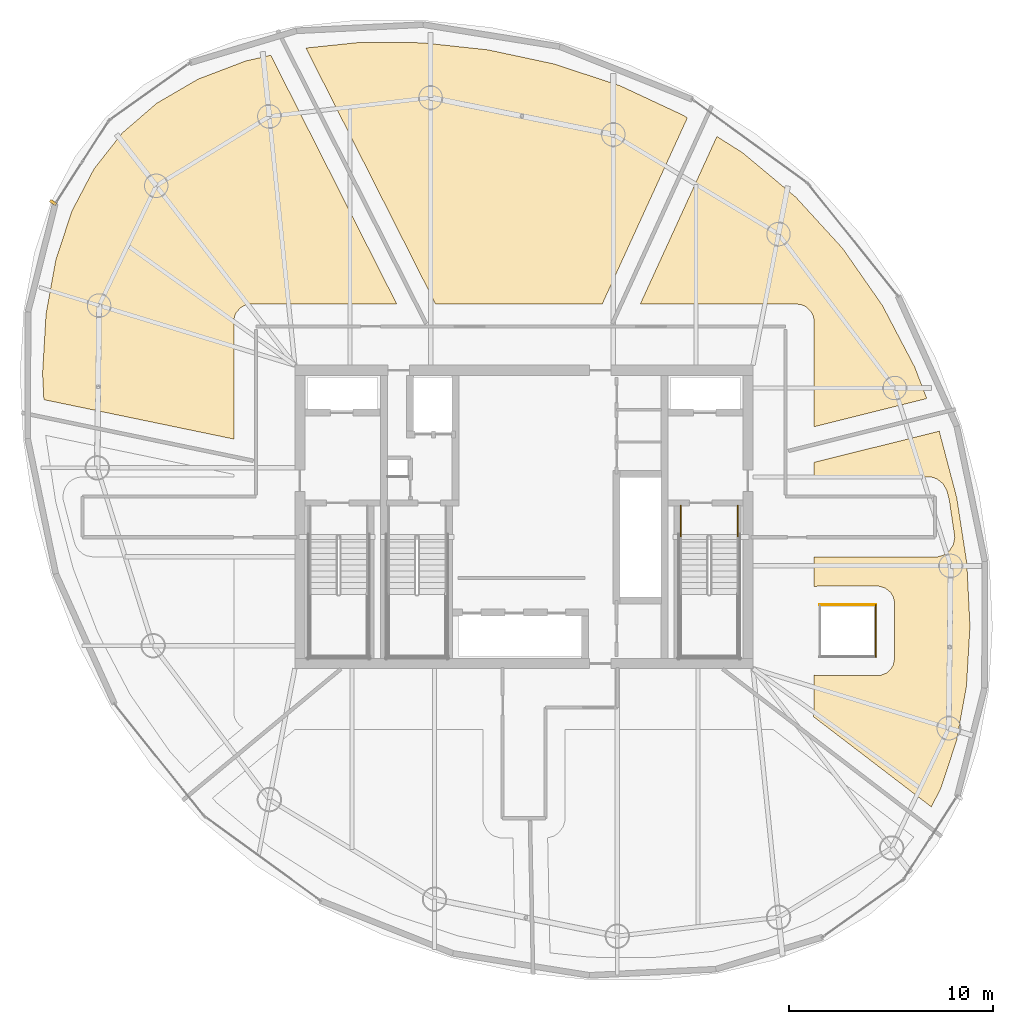
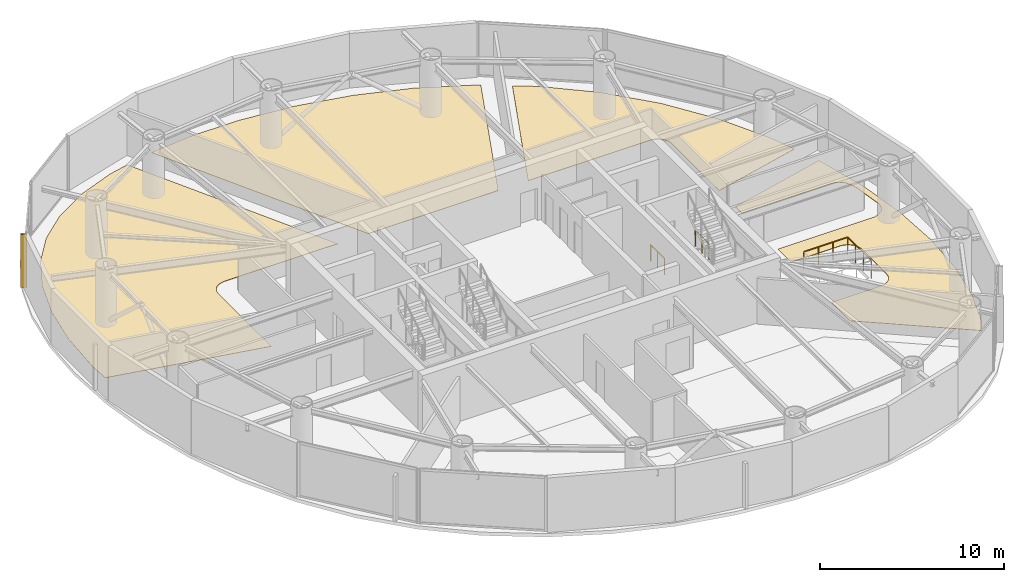
# One storey, part 18 of 18: 4 coverings, 4 railings, 1 shading device.
"""IFC4 building model written with IfcOpenShell, lengths in metres."""

from ifc_helpers import new_model, si_unit, direction, frame, origin, origin_2d, place, context, subcontext, project, spatial, polyline, rectangle, circle, outline, extrude, material, layer, layer_set, type_object, element, save


model = new_model("IFC4")

# Units and contexts
model_context = context("Model", 3, precision=1e-05, world=origin(), true_north=direction((0.0, 1.0)))
body_context = subcontext(model_context, "Body", "Model", "MODEL_VIEW")
ifc_project = project(units=[si_unit("LENGTHUNIT", "METRE"), si_unit("AREAUNIT", "SQUARE_METRE"), si_unit("VOLUMEUNIT", "CUBIC_METRE"), si_unit("PLANEANGLEUNIT", "RADIAN"), si_unit("MASSUNIT", "GRAM", prefix="KILO")], contexts=[model_context])

# Site, building, storey
site_placement = place(None, origin())
site = spatial("IfcSite", under=ifc_project, at=site_placement, CompositionType="ELEMENT")
building_placement = place(site_placement, origin())
building = spatial("IfcBuilding", under=site, at=building_placement, Name="Bramvorn Convention Spire", CompositionType="ELEMENT")
storey_placement = place(building_placement, frame((0.0, 0.0, 205.85009765625)))
storey = spatial("IfcBuildingStorey", under=building, at=storey_placement, Name="L52", CompositionType="ELEMENT", Elevation=205.85009765625)

# Coverings
ifc_material_1 = material(Name="Honed Dolomitic Limestone Terrazzo Flooring", Category="masonry")
ifc_layer = layer(ifc_material_1, 0.02490234375)
ifc_layer_set = layer_set([ifc_layer], Name="Honed Dolomitic Limestone Terrazzo Flooring - FLR-TERRAZZO-25")
covering_type = type_object("IfcCoveringType", Name="FLR-TERRAZZO-25", PredefinedType="FLOORING", material=ifc_layer_set)
covering_1_placement = place(storey_placement, origin())
element("IfcCovering", 1, at=covering_1_placement, inside=storey, type_object=covering_type, Name="L52 Executive Dining Salon 1 1 raised floor finish", PredefinedType="FLOORING", context=body_context, shape_type="SweptSolid", body=[
    extrude(outline(polyline([(48.728759765625, 43.8896484375), (47.47607421875, 44.6806640625), (43.712646484375, 36.449951171875), (51.39990234375, 36.449951171875), (51.646728515625, 36.413330078125), (51.872314453125, 36.306640625), (52.106689453125, 36.072265625), (52.21337890625, 35.8466796875), (52.245849609375, 35.683349609375), (52.25, 30.428955078125), (57.782958984375, 31.80859375), (57.18994140625, 33.357421875), (55.602783203125, 36.384521484375), (53.6494140625, 39.1875), (51.347412109375, 41.704345703125), (48.728759765625, 43.8896484375)])), origin(), (0.0, 0.0, 1.0), 0.02490234375),
])
covering_2_placement = place(storey_placement, origin())
element("IfcCovering", 2, at=covering_2_placement, inside=storey, type_object=covering_type, Name="L52 Executive Dining Salon 2 2 raised floor finish", PredefinedType="FLOORING", context=body_context, shape_type="SweptSolid", body=[
    extrude(outline(polyline([(33.660888671875, 36.449951171875), (41.843505859375, 36.449951171875), (46.025634765625, 45.5966796875), (45.840087890625, 45.7138671875), (42.744140625, 47.162109375), (39.51611328125, 48.232666015625), (36.240478515625, 48.934326171875), (33.00537109375, 49.28271484375), (29.89453125, 49.296142578125), (27.293212890625, 49.02490234375), (33.660888671875, 36.449951171875)])), origin(), (0.0, 0.0, 1.0), 0.02490234375),
])
covering_3_placement = place(storey_placement, origin())
element("IfcCovering", 3, at=covering_3_placement, inside=storey, type_object=covering_type, Name="L52 Butler Catering Kitchen 3 raised floor finish", PredefinedType="FLOORING", context=body_context, shape_type="SweptSolid", body=[
    extrude(outline(polyline([(14.360107421875, 33.04052734375), (14.424072265625, 31.756591796875), (23.75, 29.82275390625), (23.75, 35.60009765625), (23.78662109375, 35.8466796875), (23.850341796875, 36.000732421875), (24.060791015625, 36.257080078125), (24.274658203125, 36.38525390625), (24.60009765625, 36.449951171875), (31.755615234375, 36.449951171875), (25.567626953125, 48.66943359375), (24.334228515625, 48.3876953125), (21.9892578125, 47.4931640625), (19.968994140625, 46.31494140625), (18.273193359375, 44.851318359375), (16.887939453125, 43.0908203125), (15.802734375, 41.019287109375), (15.015380859375, 38.635986328125), (14.53125, 35.9619140625), (14.360107421875, 33.04052734375)])), origin(), (0.0, 0.0, 1.0), 0.02490234375),
])
covering_4_placement = place(storey_placement, origin())
element("IfcCovering", 4, at=covering_4_placement, inside=storey, type_object=covering_type, Name="L52 Executive Strategy Suite 7 raised floor finish", PredefinedType="FLOORING", context=body_context, shape_type="SweptSolid", body=[
    extrude(outline(polyline([(52.25, 16.39990234375), (52.2216796875, 16.185791015625), (58.00244140625, 11.761474609375), (58.462158203125, 12.638916015625), (59.24951171875, 15.022216796875), (59.733642578125, 17.696044921875), (59.90478515625, 20.61767578125), (59.750244140625, 23.724609375), (59.255615234375, 26.94091796875), (58.395263671875, 30.208984375), (52.25, 28.677001953125), (52.25, 27.969970703125), (57.844482421875, 27.969970703125), (58.0810546875, 27.9404296875), (58.27587890625, 27.868408203125), (58.5830078125, 27.628662109375), (58.770751953125, 27.287353515625), (58.890625, 26.813720703125), (59.157958984375, 25.0029296875), (59.0888671875, 24.640380859375), (58.897216796875, 24.338134765625), (58.598388671875, 24.12109375), (58.3212890625, 24.039306640625), (52.25, 24.030029296875), (52.25, 22.5751953125), (52.449951171875, 22.60009765625), (55.433349609375, 22.595947265625), (55.750732421875, 22.49951171875), (56.007080078125, 22.289306640625), (56.13525390625, 22.0751953125), (56.19580078125, 21.833251953125), (56.199951171875, 19.050048828125), (56.13525390625, 18.724609375), (56.007080078125, 18.5107421875), (55.822265625, 18.34326171875), (55.515869140625, 18.21630859375), (52.449951171875, 18.199951171875), (52.25, 18.224853515625), (52.25, 16.39990234375)])), origin(), (0.0, 0.0, 1.0), 0.02490234375),
])

# Railings
ifc_material_2 = material(Name="Warm Bronze Perforated Metal & Glass Balustrade", Category="glass")
railing_type_1 = type_object("IfcRailingType", Name="RL-POD-BALUSTRADE-1200", PredefinedType="BALUSTRADE", material=ifc_material_2)
railing_1_placement = place(storey_placement, frame((55.280029296875, 19.1201171875, 0.0)))
element("IfcRailing", 5, at=railing_1_placement, inside=storey, type_object=railing_type_1, Name="L52 Feature atrium void balustrade 2", PredefinedType="BALUSTRADE", context=body_context, shape_type="SweptSolid", body=[
    extrude(circle(Radius=0.02392578125, at=origin_2d()), frame((0.0, 0.0, 1.17578125), z_axis=(0.0, 1.0, 0.0), x_axis=(-1.0, 0.0, 0.0)), (0.0, 0.0, 1.0), 2.559814453125),
    extrude(circle(Radius=0.02099609375, at=origin_2d()), origin(), (0.0, 0.0, 1.0), 1.15185546875),
    extrude(circle(Radius=0.02099609375, at=origin_2d()), frame((0.0, 0.853271484375, 0.0)), (0.0, 0.0, 1.0), 1.15185546875),
    extrude(circle(Radius=0.02099609375, at=origin_2d()), frame((0.0, 1.70654296875, 0.0)), (0.0, 0.0, 1.0), 1.15185546875),
    extrude(circle(Radius=0.02099609375, at=origin_2d()), frame((0.0, 2.559814453125, 0.0)), (0.0, 0.0, 1.0), 1.15185546875),
])
railing_2_placement = place(storey_placement, frame((55.280029296875, 21.679931640625, 0.0)))
element("IfcRailing", 6, at=railing_2_placement, inside=storey, type_object=railing_type_1, Name="L52 Feature atrium void balustrade 3", PredefinedType="BALUSTRADE", context=body_context, shape_type="SweptSolid", body=[
    extrude(circle(Radius=0.02392578125, at=origin_2d()), frame((0.0, 0.0, 1.17578125), z_axis=(-1.0, 0.0, 0.0), x_axis=(0.0, -1.0, 0.0)), (0.0, 0.0, 1.0), 2.760009765625),
    extrude(circle(Radius=0.02099609375, at=origin_2d()), origin(), (0.0, 0.0, 1.0), 1.15185546875),
    extrude(circle(Radius=0.02099609375, at=origin_2d()), frame((-0.919921875, 0.0, 0.0)), (0.0, 0.0, 1.0), 1.15185546875),
    extrude(circle(Radius=0.02099609375, at=origin_2d()), frame((-1.840087890625, 0.0, 0.0)), (0.0, 0.0, 1.0), 1.15185546875),
    extrude(circle(Radius=0.02099609375, at=origin_2d()), frame((-2.760009765625, 0.0, 0.0)), (0.0, 0.0, 1.0), 1.15185546875),
])
ifc_material_3 = material(Name="Painted Steel Balustrade & Guardrail", Category="steel")
railing_type_2 = type_object("IfcRailingType", Name="RL-STAIR-GUARD-1100", PredefinedType="GUARDRAIL", material=ifc_material_3)
for number, where, name in (
    (7, (45.699951171875, 26.550048828125, 0.0), "L52 ST2 stair guard 8"),
    (8, (48.5, 26.550048828125, 0.0), "L52 ST2 stair guard 9"),
):
    element("IfcRailing", number, at=place(storey_placement, frame(where)), inside=storey, type_object=railing_type_2, Name=name, PredefinedType="GUARDRAIL", context=body_context, shape_type="SweptSolid", body=[
        extrude(circle(Radius=0.02392578125, at=origin_2d()), frame((0.0, 0.0, 1.076171875), z_axis=(0.0, -1.0, 0.0), x_axis=(1.0, 0.0, 0.0)), (0.0, 0.0, 1.0), 1.5),
        extrude(circle(Radius=0.02099609375, at=origin_2d()), origin(), (0.0, 0.0, 1.0), 1.052001953125),
        extrude(circle(Radius=0.02099609375, at=origin_2d()), frame((0.0, -0.75, 0.0)), (0.0, 0.0, 1.0), 1.052001953125),
        extrude(circle(Radius=0.02099609375, at=origin_2d()), frame((0.0, -1.5, 0.0)), (0.0, 0.0, 1.0), 1.052001953125),
    ])

# Shading device
ifc_material_4 = material(Name="Extruded Champagne Bronze Aluminium Lancet Fin", Category="aluminium")
shading_device_type = type_object("IfcShadingDeviceType", Name="SHD-FIN-LANCET", PredefinedType="SHUTTER", material=ifc_material_4)
shading_device_placement = place(storey_placement, frame((14.883056640625, 41.438232421875, 0.0498046875), z_axis=(0.0, 0.0, 1.0), x_axis=(-0.831600345445, 0.555374527194, 0.0)))
element("IfcShadingDevice", 9, at=shading_device_placement, inside=storey, type_object=shading_device_type, Name="L52 Gothic bronze wind-corner fin 13", PredefinedType="SHUTTER", context=body_context, shape_type="SweptSolid", body=[
    extrude(rectangle(XDim=0.360107421875, YDim=0.139892578125, at=origin_2d()), origin(), (0.0, 0.0, 1.0), 3.52001953125),
])

save(model, "model.ifc")
